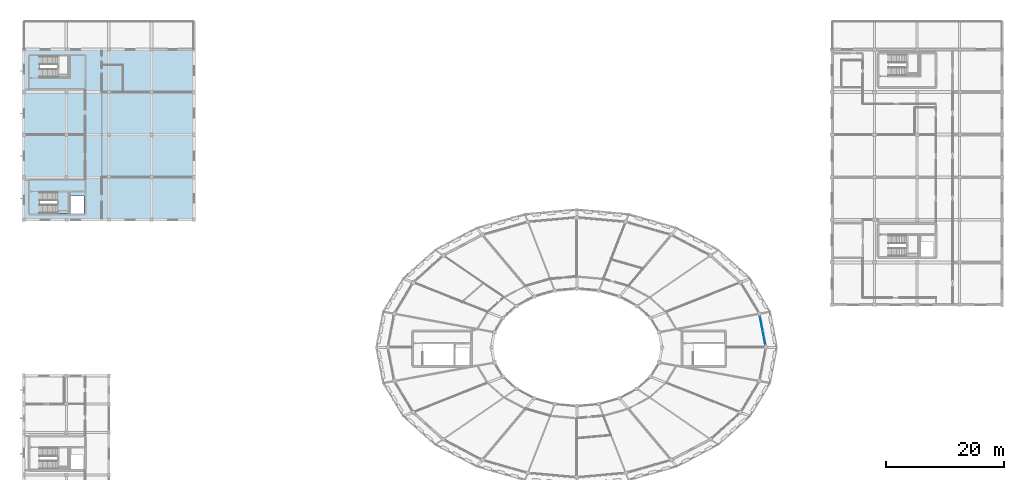
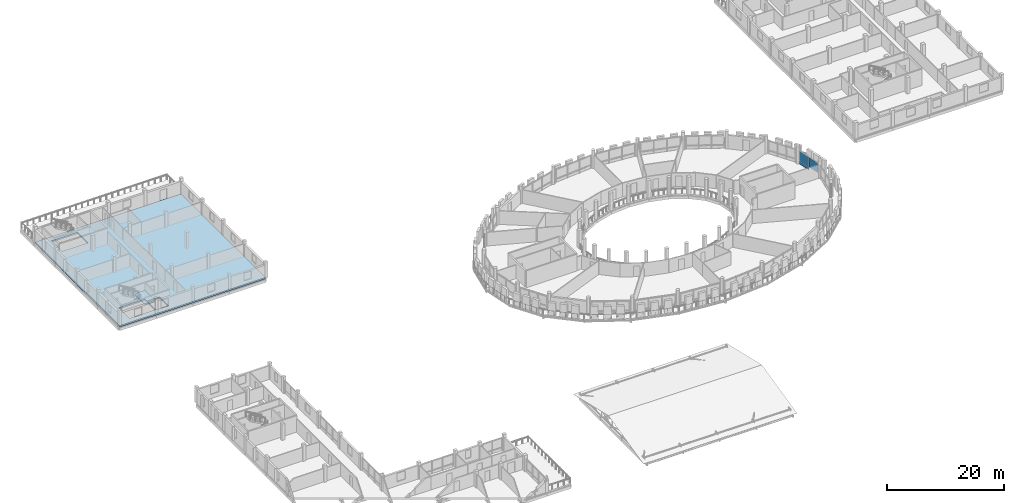
# One storey, part 62 of 84: 3 plates, 2 slabs, 2 elements without a shape of their own.
"""IFC4 building model written with IfcOpenShell, lengths in metres."""

import ifcopenshell
import ifcopenshell.guid

model = None  # the IFC model being written
_history = None  # IfcOwnerHistory: only IFC2X3 demands one
_inside = {}  # id of a spatial element -> (the spatial element, [elements in it])
_under = {}  # id of a project, library or spatial element -> (it, [spatial elements below it])
_declared = {}  # id of a project -> (the project, [libraries it declares])
_typed = {}  # id of a type object -> (the type object, [elements of that type])
_made_of = {}  # id of a material, layer set ... -> (it, [elements and type objects made of it])


def new_model(schema):
    """Start an empty IFC model of exactly this schema.

    Asked for "IFC4X3", IfcOpenShell would pick the latest addendum, in which some entities
    have other attributes; the version numbers below select the first issue.
    IFC2X3 requires an IfcOwnerHistory on every rooted entity: one is made here for all.
    """
    global model, _history
    if schema == "IFC4X3":
        model = ifcopenshell.file(schema_version=(4, 3, 0, 0))
    else:
        model = ifcopenshell.file(schema=schema)
    _inside.clear()
    _under.clear()
    _declared.clear()
    _typed.clear()
    _made_of.clear()
    _history = None
    if model.schema == "IFC2X3":
        org = make("IfcOrganization", Name="unknown")
        user = make(
            "IfcPersonAndOrganization",
            ThePerson=make("IfcPerson", FamilyName="unknown"),
            TheOrganization=org,
        )
        app = make(
            "IfcApplication",
            ApplicationDeveloper=org,
            Version="unknown",
            ApplicationFullName="unknown",
            ApplicationIdentifier="unknown",
        )
        _history = make(
            "IfcOwnerHistory",
            OwningUser=user,
            OwningApplication=app,
            ChangeAction="ADDED",
            CreationDate=0,
        )
    return model


def make(cls, **values):
    """One entity of the class cls with the attributes given. An attribute that is None is left unset."""
    return model.create_entity(
        cls, **{name: value for name, value in values.items() if value is not None}
    )


def rooted(cls, **values):
    """An entity with a GlobalId (a new one), such as an element, a storey or a relation."""
    return make(cls, GlobalId=ifcopenshell.guid.new(), OwnerHistory=_history, **values)


def si_unit(unit_type, name, prefix=None):
    """IfcSIUnit, for example si_unit("LENGTHUNIT", "METRE", prefix="MILLI")."""
    return make("IfcSIUnit", UnitType=unit_type, Prefix=prefix, Name=name)


def assignment(units):
    """IfcUnitAssignment: the units of a project."""
    return None if units is None else make("IfcUnitAssignment", Units=units)


def point(xyz):
    """IfcCartesianPoint."""
    return None if xyz is None else make("IfcCartesianPoint", Coordinates=xyz)


def direction(xyz):
    """IfcDirection."""
    return None if xyz is None else make("IfcDirection", DirectionRatios=xyz)


def frame(location, z_axis=None, x_axis=None):
    """IfcAxis2Placement3D, a coordinate frame: its origin and axes. An axis left out is left unset."""
    return make(
        "IfcAxis2Placement3D",
        Location=point(location),
        Axis=direction(z_axis),
        RefDirection=direction(x_axis),
    )


def frame_2d(location, x_axis=None):
    """IfcAxis2Placement2D, a coordinate frame in the plane: its origin and x axis."""
    return make(
        "IfcAxis2Placement2D", Location=point(location), RefDirection=direction(x_axis)
    )


def origin():
    """The frame at (0, 0, 0) with its axes left unset."""
    return frame((0.0, 0.0, 0.0))


def origin_2d():
    """The frame at (0, 0) in the plane with its x axis left unset."""
    return frame_2d((0.0, 0.0))


def place(relative_to, where):
    """IfcLocalPlacement: puts the frame where relative to a parent placement (None: the world)."""
    return make(
        "IfcLocalPlacement", PlacementRelTo=relative_to, RelativePlacement=where
    )


def context(
    kind, dimensions, precision=None, world=None, true_north=None, identifier=None
):
    """IfcGeometricRepresentationContext, for example the 3D "Model" context."""
    return make(
        "IfcGeometricRepresentationContext",
        ContextIdentifier=identifier,
        ContextType=kind,
        CoordinateSpaceDimension=dimensions,
        Precision=precision,
        WorldCoordinateSystem=world,
        TrueNorth=true_north,
    )


def subcontext(parent, identifier, kind, view, scale=None):
    """IfcGeometricRepresentationSubContext, for example "Body" below "Model"."""
    return make(
        "IfcGeometricRepresentationSubContext",
        ContextIdentifier=identifier,
        ContextType=kind,
        ParentContext=parent,
        TargetScale=scale,
        TargetView=view,
    )


def project(units=None, contexts=None):
    """IfcProject with its units and contexts."""
    return rooted(
        "IfcProject",
        Name="project",
        RepresentationContexts=contexts,
        UnitsInContext=assignment(units),
    )


def spatial(cls, under=None, at=None, **own):
    """A site, building, storey or space (cls), placed at a placement, below another one or the project."""
    s = rooted(cls, ObjectPlacement=at, **own)
    if under is not None:
        _under.setdefault(under.id(), (under, []))[1].append(s)
    return s


def polyline(points):
    """IfcPolyline through the points."""
    return make("IfcPolyline", Points=[point(p) for p in points])


def profile(cls, at=None, kind="AREA", **sizes):
    """A parametric profile (cls). Its sizes go by their IFC names, for example OverallWidth=200.0."""
    return make(cls, ProfileType=kind, Position=at, **sizes)


def rectangle(**sizes):
    """IfcRectangleProfileDef."""
    return profile("IfcRectangleProfileDef", **sizes)


def outline(outer, holes=None, kind="AREA"):
    """IfcArbitraryClosedProfileDef: a profile drawn as a closed curve; with holes, ...WithVoids."""
    if holes is None:
        return make("IfcArbitraryClosedProfileDef", ProfileType=kind, OuterCurve=outer)
    return make(
        "IfcArbitraryProfileDefWithVoids",
        ProfileType=kind,
        OuterCurve=outer,
        InnerCurves=holes,
    )


def extrude(swept, where, along, depth):
    """IfcExtrudedAreaSolid: the profile swept, set in the frame where, extruded along a direction by depth."""
    return make(
        "IfcExtrudedAreaSolid",
        SweptArea=swept,
        Position=where,
        ExtrudedDirection=direction(along),
        Depth=depth,
    )


def shape(context_of_items, identifier, shape_type, items):
    """IfcShapeRepresentation: the items that make up one representation, for example the "Body"."""
    return make(
        "IfcShapeRepresentation",
        ContextOfItems=context_of_items,
        RepresentationIdentifier=identifier,
        RepresentationType=shape_type,
        Items=items,
    )


def material(Name=None, Category=None):
    """IfcMaterial."""
    return make("IfcMaterial", Name=Name, Category=Category)


def layer(
    of_material, thickness, ventilated=None, Name=None, Category=None, Priority=None
):
    """IfcMaterialLayer: one layer of a wall or slab, of a material (None: an air gap)."""
    return make(
        "IfcMaterialLayer",
        Material=of_material,
        LayerThickness=thickness,
        IsVentilated=ventilated,
        Name=Name,
        Category=Category,
        Priority=Priority,
    )


def layer_set(layers, Name=None):
    """IfcMaterialLayerSet."""
    return make("IfcMaterialLayerSet", MaterialLayers=layers, LayerSetName=Name)


def made_of(thing, what):
    """Note that an element or type object is made of a material, layer set ...; save() writes the relation."""
    if what is not None:
        _made_of.setdefault(what.id(), (what, []))[1].append(thing)
    return thing


def type_object(cls, material=None, **own):
    """A type object (cls), such as IfcWallType, which elements share."""
    return made_of(rooted(cls, **own), material)


def element(
    cls,
    number,
    at=None,
    inside=None,
    cuts=None,
    type_object=None,
    material=None,
    context=None,
    identifier="Body",
    shape_type=None,
    held_by="IfcProductDefinitionShape",
    body=None,
    shapes=None,
    **own,
):
    """One element of the class cls, such as IfcWall. Its Tag is "e" and its number.

    at: its placement. inside: the storey or other place that contains it. cuts: it is an
    opening in that element (IfcRelVoidsElement). A single representation is given by context,
    identifier, shape_type and body (its items); several are given by shapes. held_by: the class
    of the entity that holds the representations. save() writes the other relations.
    """
    e = rooted(cls, Tag="e%d" % number, ObjectPlacement=at, **own)
    if body is not None:
        shapes = [shape(context, identifier, shape_type, body)]
    if shapes is not None:
        e.Representation = make(held_by, Representations=shapes)
    if inside is not None:
        _inside.setdefault(inside.id(), (inside, []))[1].append(e)
    if cuts is not None:
        rooted(
            "IfcRelVoidsElement", RelatingBuildingElement=cuts, RelatedOpeningElement=e
        )
    if type_object is not None:
        _typed.setdefault(type_object.id(), (type_object, []))[1].append(e)
    return made_of(e, material)


def aggregate(whole, parts):
    """IfcRelAggregates: a whole, such as a stair, and the parts it consists of."""
    return rooted("IfcRelAggregates", RelatingObject=whole, RelatedObjects=parts)


def save(model, path):
    """Write the relations noted so far, then the file.

    IfcRelAggregates (storeys below a building ...), IfcRelContainedInSpatialStructure (elements
    in a storey), IfcRelDefinesByType, IfcRelAssociatesMaterial and IfcRelDeclares: one each for
    every whole, place, type object, material and project.
    """
    for whole, parts in _under.values():
        aggregate(whole, parts)
    for where, things in _inside.values():
        rooted(
            "IfcRelContainedInSpatialStructure",
            RelatedElements=things,
            RelatingStructure=where,
        )
    for kind, things in _typed.values():
        rooted("IfcRelDefinesByType", RelatedObjects=things, RelatingType=kind)
    for what, things in _made_of.values():
        rooted("IfcRelAssociatesMaterial", RelatedObjects=things, RelatingMaterial=what)
    for by, libraries in _declared.values():
        rooted("IfcRelDeclares", RelatingContext=by, RelatedDefinitions=libraries)
    model.write(path)


model = new_model("IFC4")

# Units and contexts
model_context = context("Model", 3, precision=1e-05, world=origin(), true_north=direction((0.0, 1.0)))
body_context = subcontext(model_context, "Body", "Model", "MODEL_VIEW")
ifc_project = project(units=[si_unit("LENGTHUNIT", "METRE"), si_unit("AREAUNIT", "SQUARE_METRE"), si_unit("VOLUMEUNIT", "CUBIC_METRE"), si_unit("PLANEANGLEUNIT", "RADIAN"), si_unit("MASSUNIT", "GRAM", prefix="KILO")], contexts=[model_context])

# Site, building, storey
site_placement = place(None, origin())
site = spatial("IfcSite", under=ifc_project, at=site_placement, CompositionType="ELEMENT")
building_placement = place(site_placement, origin())
building = spatial("IfcBuilding", under=site, at=building_placement, Name="Zornivar Specialist Clinic", CompositionType="ELEMENT")
storey_placement = place(building_placement, frame((0.0, 0.0, 12.300048828125)))
storey = spatial("IfcBuildingStorey", under=building, at=storey_placement, Name="L03", CompositionType="ELEMENT", Elevation=12.300048828125)

# Curtain wall, plates
ifc_material_1 = material(Name="Aluminium and Low-E Glass Curtain Wall", Category="aluminium")
curtain_wall_type = type_object("IfcCurtainWallType", Name="CW-DRUM-FACET", PredefinedType="NOTDEFINED", material=ifc_material_1)
curtain_wall_placement = place(storey_placement, origin())
curtain_wall = element("IfcCurtainWall", 1, at=curtain_wall_placement, inside=storey, type_object=curtain_wall_type, Name="cw:V1:L03:c00", PredefinedType="NOTDEFINED")
ifc_material_2 = material(Name="Insulated Limestone-Faced Spandrel Panel", Category="masonry")
ifc_layer_1 = layer(ifc_material_2, 0.05810546875)
ifc_layer_set_1 = layer_set([ifc_layer_1], Name="Insulated Limestone-Faced Spandrel Panel")
plate_type_1 = type_object("IfcPlateType", Name="CWP-SPN-D", PredefinedType="CURTAIN_PANEL", material=ifc_layer_set_1)
plate_1_placement = place(storey_placement, frame((124.826904296875, 61.635009765625, 0.030517578125), z_axis=(0.0, 0.0, 1.0), x_axis=(-0.187896976838, 0.982188742602, 0.0)))
plate_1 = element("IfcPlate", 2, at=plate_1_placement, type_object=plate_type_1, Name="cw:V1:L03:c00:spn:1", PredefinedType="CURTAIN_PANEL", context=body_context, shape_type="SweptSolid", body=[
    extrude(rectangle(XDim=2.34912109375, YDim=0.05810546875, at=origin_2d()), origin(), (0.0, 0.0, 1.0), 0.6708984375),
])
ifc_material_3 = material(Name="Triple Low-E Vision Glass", Category="glass")
ifc_layer_2 = layer(ifc_material_3, 0.0380859375)
ifc_layer_set_2 = layer_set([ifc_layer_2], Name="Triple Low-E Vision Glass")
plate_type_2 = type_object("IfcPlateType", Name="CWP-VIS-D", PredefinedType="CURTAIN_PANEL", material=ifc_layer_set_2)
plate_2_placement = place(storey_placement, frame((125.281982421875, 59.259033203125, 0.76611328125), z_axis=(0.0, 0.0, 1.0), x_axis=(-0.187896976838, 0.982188742602, 0.0)))
plate_2 = element("IfcPlate", 3, at=plate_2_placement, type_object=plate_type_2, Name="cw:V1:L03:c00:vis:0", PredefinedType="CURTAIN_PANEL", context=body_context, shape_type="SweptSolid", body=[
    extrude(rectangle(XDim=2.34912109375, YDim=0.0380859375, at=origin_2d()), origin(), (0.0, 0.0, 1.0), 1.944091796875),
])
plate_3_placement = place(storey_placement, frame((124.826904296875, 61.635009765625, 0.76611328125), z_axis=(0.0, 0.0, 1.0), x_axis=(-0.187896976838, 0.982188742602, 0.0)))
plate_3 = element("IfcPlate", 4, at=plate_3_placement, type_object=plate_type_2, Name="cw:V1:L03:c00:vis:1", PredefinedType="CURTAIN_PANEL", context=body_context, shape_type="SweptSolid", body=[
    extrude(rectangle(XDim=2.34912109375, YDim=0.0380859375, at=origin_2d()), origin(), (0.0, 0.0, 1.0), 1.944091796875),
])
aggregate(curtain_wall, [plate_2, plate_1, plate_3])

# Slab
ifc_material_4 = material(Name="Concrete C30/37", Category="concrete")
ifc_layer_3 = layer(ifc_material_4, 0.31005859375)
ifc_layer_set_3 = layer_set([ifc_layer_3], Name="Concrete C30/37")
slab_type_1 = type_object("IfcSlabType", Name="SLB-FLR-PROC-310", PredefinedType="FLOOR", material=ifc_layer_set_3)
slab_1_placement = place(storey_placement, frame((0.0, 0.0, -0.31005859375)))
element("IfcSlab", 5, at=slab_1_placement, inside=storey, type_object=slab_type_1, Name="slab:V5:L03:main", PredefinedType="FLOOR", context=body_context, shape_type="SweptSolid", body=[
    extrude(outline(polyline([(0.0, 79.199951171875), (28.800048828125, 79.199951171875), (28.800048828125, 108.0), (0.0, 108.0), (0.0, 79.199951171875)]), holes=[polyline([(2.6201171875, 80.300048828125), (7.699951171875, 80.300048828125), (7.699951171875, 83.89990234375), (2.6201171875, 83.89990234375), (2.6201171875, 80.300048828125)]), polyline([(7.800048828125, 80.199951171875), (10.199951171875, 80.199951171875), (10.199951171875, 83.199951171875), (7.800048828125, 83.199951171875), (7.800048828125, 80.199951171875)]), polyline([(2.6201171875, 103.300048828125), (7.699951171875, 103.300048828125), (7.699951171875, 106.89990234375), (2.6201171875, 106.89990234375), (2.6201171875, 103.300048828125)])]), origin(), (0.0, 0.0, 1.0), 0.31005859375),
])

# Stair, slab
ifc_material_5 = material(Name="Concrete C30/37", Category="concrete")
stair_type = type_object("IfcStairType", Name="STR-CORE-UPPER-3700", PredefinedType="HALF_TURN_STAIR", material=ifc_material_5)
stair_placement = place(storey_placement, origin())
stair = element("IfcStair", 6, at=stair_placement, inside=storey, type_object=stair_type, Name="stair:C7:L03", PredefinedType="HALF_TURN_STAIR")
ifc_material_6 = material(Name="Concrete C30/37", Category="concrete")
ifc_layer_4 = layer(ifc_material_6, 0.179931640625)
ifc_layer_set_4 = layer_set([ifc_layer_4], Name="Concrete C30/37")
slab_type_2 = type_object("IfcSlabType", Name="SLB-LANDING-180", PredefinedType="LANDING", material=ifc_layer_set_4)
slab_2_placement = place(storey_placement, frame((0.0, 0.0, 1.669921875)))
slab_2 = element("IfcSlab", 7, at=slab_2_placement, type_object=slab_type_2, Name="stair:C7:L03:land", PredefinedType="LANDING", context=body_context, shape_type="SweptSolid", body=[
    extrude(outline(polyline([(5.659912109375, 80.280029296875), (7.719970703125, 80.280029296875), (7.719970703125, 83.919921875), (5.659912109375, 83.919921875), (5.659912109375, 80.280029296875)])), origin(), (0.0, 0.0, 1.0), 0.179931640625),
])
aggregate(stair, [slab_2])

save(model, "model.ifc")
